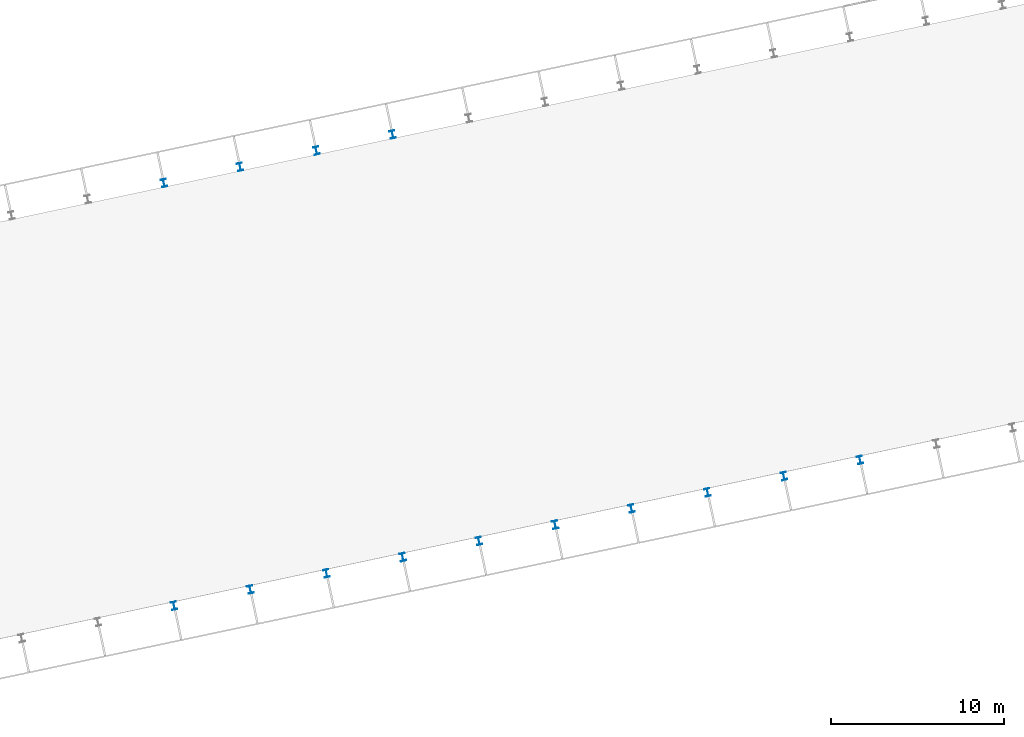
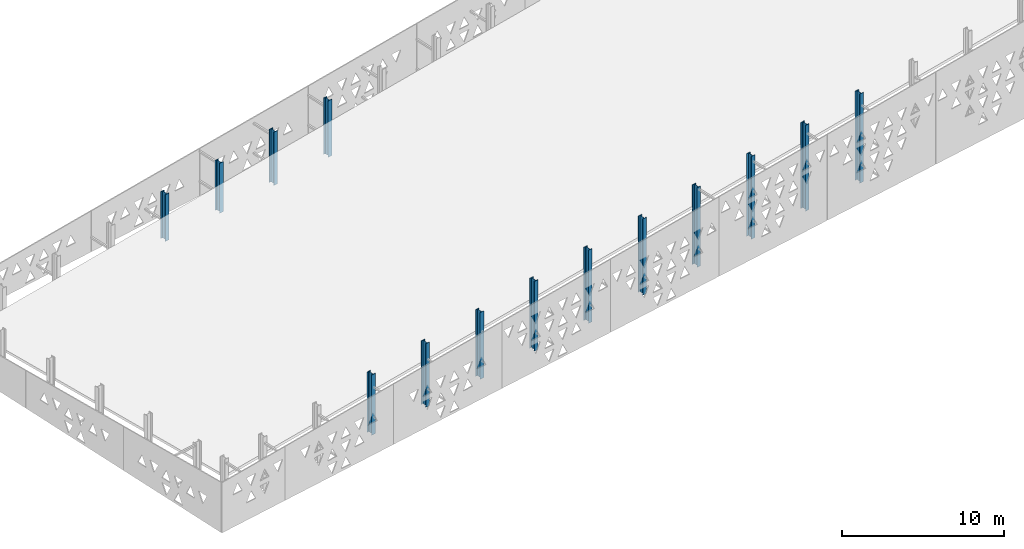
# One storey, part 3 of 41: 14 columns.
"""IFC4 building model written with IfcOpenShell, lengths in metres."""

from ifc_helpers import new_model, si_unit, direction, frame, origin, origin_2d, place, context, subcontext, project, spatial, i_section, extrude, material, material_profile, profile_set, type_object, element, save


model = new_model("IFC4")

# Units and contexts
model_context = context("Model", 3, precision=1e-05, world=origin(), true_north=direction((0.0, 1.0)))
body_context = subcontext(model_context, "Body", "Model", "MODEL_VIEW")
ifc_project = project(units=[si_unit("LENGTHUNIT", "METRE"), si_unit("AREAUNIT", "SQUARE_METRE"), si_unit("VOLUMEUNIT", "CUBIC_METRE"), si_unit("PLANEANGLEUNIT", "RADIAN"), si_unit("MASSUNIT", "GRAM", prefix="KILO")], contexts=[model_context])

# Site, building, storey
site_placement = place(None, origin())
site = spatial("IfcSite", under=ifc_project, at=site_placement, CompositionType="ELEMENT")
building_placement = place(site_placement, origin())
building = spatial("IfcBuilding", under=site, at=building_placement, Name="Okhra Congress Centre", CompositionType="ELEMENT")
storey_placement = place(building_placement, frame((0.0, 0.0, 21.60009765625)))
storey = spatial("IfcBuildingStorey", under=building, at=storey_placement, Name="ROOF", CompositionType="ELEMENT", Elevation=21.60009765625)

# Columns
ifc_material = material(Name="Steel S355J2", Category="steel")
ifc_material_profile = material_profile(ifc_material, i_section(OverallWidth=0.300048828125, OverallDepth=0.449951171875, WebThickness=0.013916015625, FlangeThickness=0.02587890625, FilletRadius=0.027099609375, at=origin_2d()), Name="HE 450 B")
ifc_profile_set = profile_set([ifc_material_profile], Name="Steel S355J2")
column_type = type_object("IfcColumnType", Name="Steel post HE 450 B", PredefinedType="COLUMN", material=ifc_profile_set)
column_1_placement = place(storey_placement, frame((74.216064453125, 29.615966796875, 0.0), z_axis=(0.0, 0.0, 1.0), x_axis=(0.978147600734, 0.207911690818, 0.0)))
element("IfcColumn", 1, at=column_1_placement, inside=storey, type_object=column_type, Name="Screen upstand post S4", PredefinedType="COLUMN", context=body_context, shape_type="SweptSolid", body=[
    extrude(i_section(OverallWidth=0.300048828125, OverallDepth=0.449951171875, WebThickness=0.013916015625, FlangeThickness=0.02587890625, FilletRadius=0.027099609375, at=origin_2d()), origin(), (0.0, 0.0, 1.0), 4.542236328125),
])
column_2_placement = place(storey_placement, frame((78.61767578125, 30.5517578125, 0.0), z_axis=(0.0, 0.0, 1.0), x_axis=(0.978147600734, 0.207911690818, 0.0)))
element("IfcColumn", 2, at=column_2_placement, inside=storey, type_object=column_type, Name="Screen upstand post S5", PredefinedType="COLUMN", context=body_context, shape_type="SweptSolid", body=[
    extrude(i_section(OverallWidth=0.300048828125, OverallDepth=0.449951171875, WebThickness=0.013916015625, FlangeThickness=0.02587890625, FilletRadius=0.027099609375, at=origin_2d()), origin(), (0.0, 0.0, 1.0), 4.782958984375),
])
column_3_placement = place(storey_placement, frame((83.019287109375, 31.4873046875, 0.0), z_axis=(0.0, 0.0, 1.0), x_axis=(0.978147600734, 0.207911690818, 0.0)))
element("IfcColumn", 3, at=column_3_placement, inside=storey, type_object=column_type, Name="Screen upstand post S6", PredefinedType="COLUMN", context=body_context, shape_type="SweptSolid", body=[
    extrude(i_section(OverallWidth=0.300048828125, OverallDepth=0.449951171875, WebThickness=0.013916015625, FlangeThickness=0.02587890625, FilletRadius=0.027099609375, at=origin_2d()), origin(), (0.0, 0.0, 1.0), 5.023681640625),
])
column_4_placement = place(storey_placement, frame((87.4208984375, 32.4228515625, 0.0), z_axis=(0.0, 0.0, 1.0), x_axis=(0.978147600734, 0.207911690818, 0.0)))
element("IfcColumn", 4, at=column_4_placement, inside=storey, type_object=column_type, Name="Screen upstand post S7", PredefinedType="COLUMN", context=body_context, shape_type="SweptSolid", body=[
    extrude(i_section(OverallWidth=0.300048828125, OverallDepth=0.449951171875, WebThickness=0.013916015625, FlangeThickness=0.02587890625, FilletRadius=0.027099609375, at=origin_2d()), origin(), (0.0, 0.0, 1.0), 5.2646484375),
])
column_5_placement = place(storey_placement, frame((91.82275390625, 33.3583984375, 0.0), z_axis=(0.0, 0.0, 1.0), x_axis=(0.978147600734, 0.207911690818, 0.0)))
element("IfcColumn", 5, at=column_5_placement, inside=storey, type_object=column_type, Name="Screen upstand post S8", PredefinedType="COLUMN", context=body_context, shape_type="SweptSolid", body=[
    extrude(i_section(OverallWidth=0.300048828125, OverallDepth=0.449951171875, WebThickness=0.013916015625, FlangeThickness=0.02587890625, FilletRadius=0.027099609375, at=origin_2d()), origin(), (0.0, 0.0, 1.0), 5.50537109375),
])
column_6_placement = place(storey_placement, frame((96.224365234375, 34.2939453125, 0.0), z_axis=(0.0, 0.0, 1.0), x_axis=(0.978147600734, 0.207911690818, 0.0)))
element("IfcColumn", 6, at=column_6_placement, inside=storey, type_object=column_type, Name="Screen upstand post S9", PredefinedType="COLUMN", context=body_context, shape_type="SweptSolid", body=[
    extrude(i_section(OverallWidth=0.300048828125, OverallDepth=0.449951171875, WebThickness=0.013916015625, FlangeThickness=0.02587890625, FilletRadius=0.027099609375, at=origin_2d()), origin(), (0.0, 0.0, 1.0), 5.74609375),
])
column_7_placement = place(storey_placement, frame((100.6259765625, 35.229736328125, 0.0), z_axis=(0.0, 0.0, 1.0), x_axis=(0.978147600734, 0.207911690818, 0.0)))
element("IfcColumn", 7, at=column_7_placement, inside=storey, type_object=column_type, Name="Screen upstand post S10", PredefinedType="COLUMN", context=body_context, shape_type="SweptSolid", body=[
    extrude(i_section(OverallWidth=0.300048828125, OverallDepth=0.449951171875, WebThickness=0.013916015625, FlangeThickness=0.02587890625, FilletRadius=0.027099609375, at=origin_2d()), origin(), (0.0, 0.0, 1.0), 5.98681640625),
])
column_8_placement = place(storey_placement, frame((105.027587890625, 36.165283203125, 0.0), z_axis=(0.0, 0.0, 1.0), x_axis=(0.978147600734, 0.207911690818, 0.0)))
element("IfcColumn", 8, at=column_8_placement, inside=storey, type_object=column_type, Name="Screen upstand post S11", PredefinedType="COLUMN", context=body_context, shape_type="SweptSolid", body=[
    extrude(i_section(OverallWidth=0.300048828125, OverallDepth=0.449951171875, WebThickness=0.013916015625, FlangeThickness=0.02587890625, FilletRadius=0.027099609375, at=origin_2d()), origin(), (0.0, 0.0, 1.0), 6.2275390625),
])
column_9_placement = place(storey_placement, frame((109.42919921875, 37.100830078125, 0.0), z_axis=(0.0, 0.0, 1.0), x_axis=(0.978147600734, 0.207911690818, 0.0)))
element("IfcColumn", 9, at=column_9_placement, inside=storey, type_object=column_type, Name="Screen upstand post S12", PredefinedType="COLUMN", context=body_context, shape_type="SweptSolid", body=[
    extrude(i_section(OverallWidth=0.300048828125, OverallDepth=0.449951171875, WebThickness=0.013916015625, FlangeThickness=0.02587890625, FilletRadius=0.027099609375, at=origin_2d()), origin(), (0.0, 0.0, 1.0), 6.468505859375),
])
column_10_placement = place(storey_placement, frame((113.8310546875, 38.036376953125, 0.0), z_axis=(0.0, 0.0, 1.0), x_axis=(0.978147600734, 0.207911690818, 0.0)))
element("IfcColumn", 10, at=column_10_placement, inside=storey, type_object=column_type, Name="Screen upstand post S13", PredefinedType="COLUMN", context=body_context, shape_type="SweptSolid", body=[
    extrude(i_section(OverallWidth=0.300048828125, OverallDepth=0.449951171875, WebThickness=0.013916015625, FlangeThickness=0.02587890625, FilletRadius=0.027099609375, at=origin_2d()), origin(), (0.0, 0.0, 1.0), 6.709228515625),
])
column_11_placement = place(storey_placement, frame((73.627685546875, 54.027099609375, 0.0), z_axis=(0.0, 0.0, 1.0), x_axis=(0.978147600734, 0.207911690818, 0.0)))
element("IfcColumn", 11, at=column_11_placement, inside=storey, type_object=column_type, Name="Screen upstand post N5", PredefinedType="COLUMN", context=body_context, shape_type="SweptSolid", body=[
    extrude(i_section(OverallWidth=0.300048828125, OverallDepth=0.449951171875, WebThickness=0.013916015625, FlangeThickness=0.02587890625, FilletRadius=0.027099609375, at=origin_2d()), origin(), (0.0, 0.0, 1.0), 3.525146484375),
])
column_12_placement = place(storey_placement, frame((78.029541015625, 54.962890625, 0.0), z_axis=(0.0, 0.0, 1.0), x_axis=(0.978147600734, 0.207911690818, 0.0)))
element("IfcColumn", 12, at=column_12_placement, inside=storey, type_object=column_type, Name="Screen upstand post N6", PredefinedType="COLUMN", context=body_context, shape_type="SweptSolid", body=[
    extrude(i_section(OverallWidth=0.300048828125, OverallDepth=0.449951171875, WebThickness=0.013916015625, FlangeThickness=0.02587890625, FilletRadius=0.027099609375, at=origin_2d()), origin(), (0.0, 0.0, 1.0), 3.76611328125),
])
column_13_placement = place(storey_placement, frame((82.43115234375, 55.8984375, 0.0), z_axis=(0.0, 0.0, 1.0), x_axis=(0.978147600734, 0.207911690818, 0.0)))
element("IfcColumn", 13, at=column_13_placement, inside=storey, type_object=column_type, Name="Screen upstand post N7", PredefinedType="COLUMN", context=body_context, shape_type="SweptSolid", body=[
    extrude(i_section(OverallWidth=0.300048828125, OverallDepth=0.449951171875, WebThickness=0.013916015625, FlangeThickness=0.02587890625, FilletRadius=0.027099609375, at=origin_2d()), origin(), (0.0, 0.0, 1.0), 4.0068359375),
])
column_14_placement = place(storey_placement, frame((86.832763671875, 56.833984375, 0.0), z_axis=(0.0, 0.0, 1.0), x_axis=(0.978147600734, 0.207911690818, 0.0)))
element("IfcColumn", 14, at=column_14_placement, inside=storey, type_object=column_type, Name="Screen upstand post N8", PredefinedType="COLUMN", context=body_context, shape_type="SweptSolid", body=[
    extrude(i_section(OverallWidth=0.300048828125, OverallDepth=0.449951171875, WebThickness=0.013916015625, FlangeThickness=0.02587890625, FilletRadius=0.027099609375, at=origin_2d()), origin(), (0.0, 0.0, 1.0), 4.24755859375),
])

save(model, "model.ifc")
